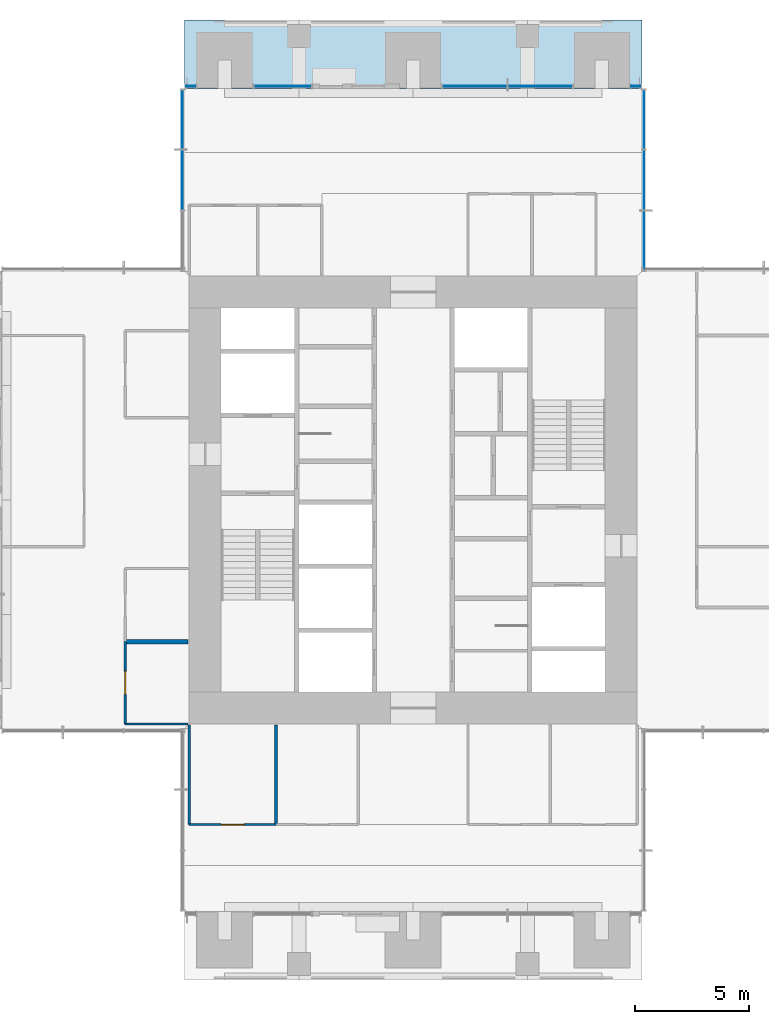
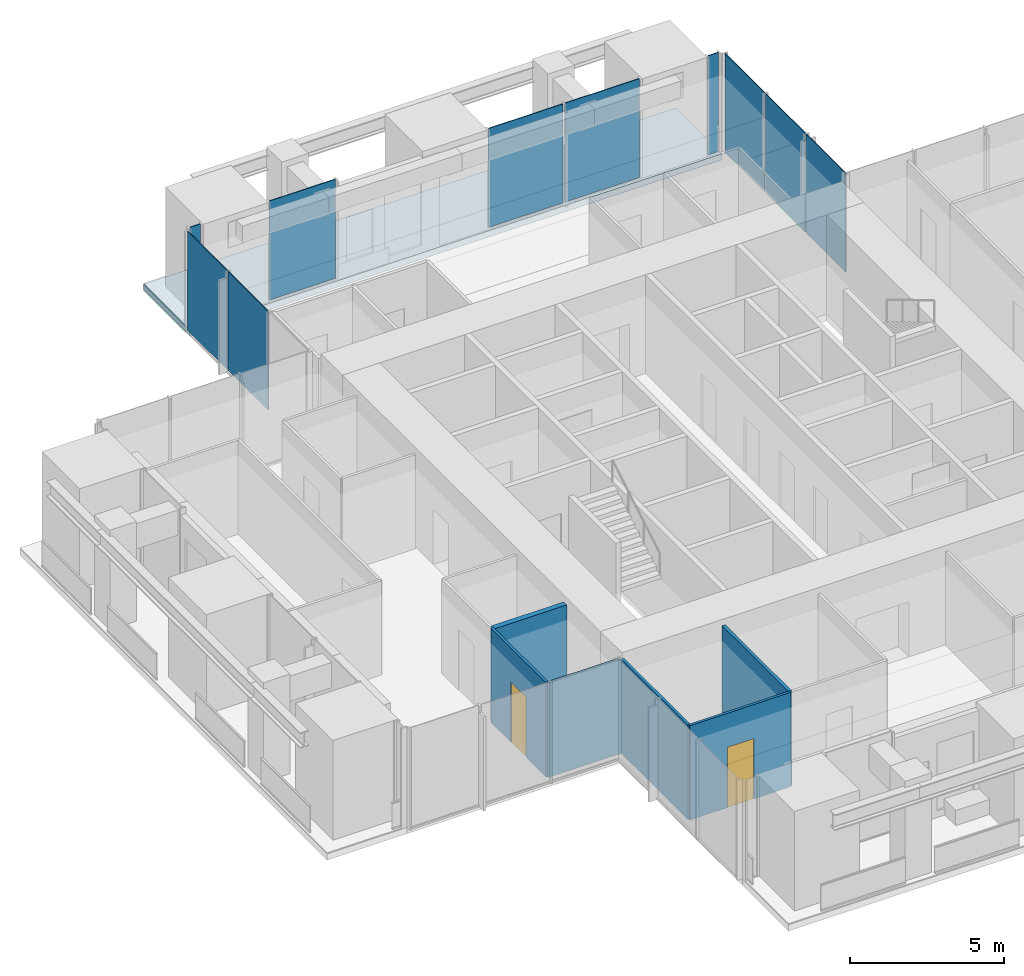
# One storey, part 11 of 17: 10 plates, 6 walls, 2 doors, 1 slab, 2 openings, 6 elements without a shape of their own.
"""IFC4 building model written with IfcOpenShell, lengths in metres."""

from ifc_helpers import new_model, si_unit, direction, frame, frame_2d, origin, origin_2d, place, context, subcontext, project, spatial, polyline, rectangle, outline, extrude, material, layer, layer_set, type_object, element, fill, aggregate, save


model = new_model("IFC4")

# Units and contexts
model_context = context("Model", 3, precision=1e-05, world=origin(), true_north=direction((0.0, 1.0)))
body_context = subcontext(model_context, "Body", "Model", "MODEL_VIEW")
ifc_project = project(units=[si_unit("LENGTHUNIT", "METRE"), si_unit("AREAUNIT", "SQUARE_METRE"), si_unit("VOLUMEUNIT", "CUBIC_METRE"), si_unit("PLANEANGLEUNIT", "RADIAN"), si_unit("MASSUNIT", "GRAM", prefix="KILO")], contexts=[model_context])

# Site, building, storey
site_placement = place(None, origin())
site = spatial("IfcSite", under=ifc_project, at=site_placement, CompositionType="ELEMENT")
building_placement = place(site_placement, origin())
building = spatial("IfcBuilding", under=site, at=building_placement, Name="Svetlomir Tower", CompositionType="ELEMENT")
storey_placement = place(building_placement, frame((0.0, 0.0, 198.5)))
storey = spatial("IfcBuildingStorey", under=building, at=storey_placement, Name="L47", CompositionType="ELEMENT", Elevation=198.5)

# Curtain wall, plates
ifc_material_1 = material(Name="Bronze anodised aluminium curtain wall", Category="aluminium")
curtain_wall_type = type_object("IfcCurtainWallType", Name="CURTAIN WALL CW1 TOWER OFFICE", PredefinedType="NOTDEFINED", material=ifc_material_1)
curtain_wall_1_placement = place(storey_placement, origin())
curtain_wall_1 = element("IfcCurtainWall", 1, at=curtain_wall_1_placement, inside=storey, type_object=curtain_wall_type, Name="Curtain wall CW1 L47", PredefinedType="NOTDEFINED")
ifc_material_2 = material(Name="Tinted double glazed unit", Category="glass")
ifc_layer_1 = layer(ifc_material_2, 0.031982421875)
ifc_layer_set_1 = layer_set([ifc_layer_1], Name="Tinted double glazed unit")
plate_type = type_object("IfcPlateType", Name="CW1 GLAZED PANEL 32", PredefinedType="CURTAIN_PANEL", material=ifc_layer_set_1)
plate_1_placement = place(storey_placement, frame((31.10009765625, 32.349609375, 0.06494140625), z_axis=(0.0, 0.0, 1.0), x_axis=(0.0, 1.0, 0.0)))
plate_1 = element("IfcPlate", 2, at=plate_1_placement, type_object=plate_type, Name="CW1 panel 1.1", PredefinedType="CURTAIN_PANEL", context=body_context, shape_type="SweptSolid", body=[
    extrude(rectangle(XDim=2.569091796875, YDim=0.031982421875, at=origin_2d()), origin(), (0.0, 0.0, 1.0), 3.93505859375),
])
plate_2_placement = place(storey_placement, frame((31.10009765625, 35.0, 0.06494140625), z_axis=(0.0, 0.0, 1.0), x_axis=(0.0, 1.0, 0.0)))
plate_2 = element("IfcPlate", 3, at=plate_2_placement, type_object=plate_type, Name="CW1 panel 2.1", PredefinedType="CURTAIN_PANEL", context=body_context, shape_type="SweptSolid", body=[
    extrude(rectangle(XDim=2.6015625, YDim=0.031982421875, at=origin_2d()), origin(), (0.0, 0.0, 1.0), 3.93505859375),
])
plate_3_placement = place(storey_placement, frame((31.10009765625, 37.650390625, 0.06494140625), z_axis=(0.0, 0.0, 1.0), x_axis=(0.0, 1.0, 0.0)))
plate_3 = element("IfcPlate", 4, at=plate_3_placement, type_object=plate_type, Name="CW1 panel 3.1", PredefinedType="CURTAIN_PANEL", context=body_context, shape_type="SweptSolid", body=[
    extrude(rectangle(XDim=2.569091796875, YDim=0.031982421875, at=origin_2d()), origin(), (0.0, 0.0, 1.0), 3.93505859375),
])
aggregate(curtain_wall_1, [plate_1, plate_2, plate_3])

# Curtain wall, plate
curtain_wall_2_placement = place(storey_placement, origin())
curtain_wall_2 = element("IfcCurtainWall", 5, at=curtain_wall_2_placement, inside=storey, type_object=curtain_wall_type, Name="Curtain wall CW1 L47", PredefinedType="NOTDEFINED")
plate_4_placement = place(storey_placement, frame((30.737548828125, 39.10009765625, 0.06494140625), z_axis=(0.0, 0.0, 1.0), x_axis=(-1.0, 0.0, 0.0)))
plate_4 = element("IfcPlate", 6, at=plate_4_placement, type_object=plate_type, Name="CW1 panel 1.1", PredefinedType="CURTAIN_PANEL", context=body_context, shape_type="SweptSolid", body=[
    extrude(rectangle(XDim=0.39501953125, YDim=0.031982421875, at=origin_2d()), origin(), (0.0, 0.0, 1.0), 3.93505859375),
])
aggregate(curtain_wall_2, [plate_4])

# Curtain wall, plates
curtain_wall_3_placement = place(storey_placement, origin())
curtain_wall_3 = element("IfcCurtainWall", 7, at=curtain_wall_3_placement, inside=storey, type_object=curtain_wall_type, Name="Curtain wall CW1 L47", PredefinedType="NOTDEFINED")
plate_5_placement = place(storey_placement, frame((26.558837890625, 39.10009765625, 0.06494140625), z_axis=(0.0, 0.0, 1.0), x_axis=(-1.0, 0.0, 0.0)))
plate_5 = element("IfcPlate", 8, at=plate_5_placement, type_object=plate_type, Name="CW1 panel 1.1", PredefinedType="CURTAIN_PANEL", context=body_context, shape_type="SweptSolid", body=[
    extrude(rectangle(XDim=2.802490234375, YDim=0.031982421875, at=origin_2d()), origin(), (0.0, 0.0, 1.0), 3.93505859375),
])
plate_6_placement = place(storey_placement, frame((23.691162109375, 39.10009765625, 0.06494140625), z_axis=(0.0, 0.0, 1.0), x_axis=(-1.0, 0.0, 0.0)))
plate_6 = element("IfcPlate", 9, at=plate_6_placement, type_object=plate_type, Name="CW1 panel 2.1", PredefinedType="CURTAIN_PANEL", context=body_context, shape_type="SweptSolid", body=[
    extrude(rectangle(XDim=2.802490234375, YDim=0.031982421875, at=origin_2d()), origin(), (0.0, 0.0, 1.0), 3.93505859375),
])
aggregate(curtain_wall_3, [plate_5, plate_6])

# Curtain wall, plate
curtain_wall_4_placement = place(storey_placement, origin())
curtain_wall_4 = element("IfcCurtainWall", 10, at=curtain_wall_4_placement, inside=storey, type_object=curtain_wall_type, Name="Curtain wall CW1 L47", PredefinedType="NOTDEFINED")
plate_7_placement = place(storey_placement, frame((15.28759765625, 39.10009765625, 0.06494140625), z_axis=(0.0, 0.0, 1.0), x_axis=(-1.0, 0.0, 0.0)))
plate_7 = element("IfcPlate", 11, at=plate_7_placement, type_object=plate_type, Name="CW1 panel 1.1", PredefinedType="CURTAIN_PANEL", context=body_context, shape_type="SweptSolid", body=[
    extrude(rectangle(XDim=2.4951171875, YDim=0.031982421875, at=origin_2d()), origin(), (0.0, 0.0, 1.0), 3.93505859375),
])
aggregate(curtain_wall_4, [plate_7])

curtain_wall_5_placement = place(storey_placement, origin())
curtain_wall_5 = element("IfcCurtainWall", 12, at=curtain_wall_5_placement, inside=storey, type_object=curtain_wall_type, Name="Curtain wall CW1 L47", PredefinedType="NOTDEFINED")
plate_8_placement = place(storey_placement, frame((11.262451171875, 39.10009765625, 0.06494140625), z_axis=(0.0, 0.0, 1.0), x_axis=(-1.0, 0.0, 0.0)))
plate_8 = element("IfcPlate", 13, at=plate_8_placement, type_object=plate_type, Name="CW1 panel 1.1", PredefinedType="CURTAIN_PANEL", context=body_context, shape_type="SweptSolid", body=[
    extrude(rectangle(XDim=0.39501953125, YDim=0.031982421875, at=origin_2d()), origin(), (0.0, 0.0, 1.0), 3.93505859375),
])
aggregate(curtain_wall_5, [plate_8])

# Curtain wall, plates
curtain_wall_6_placement = place(storey_placement, origin())
curtain_wall_6 = element("IfcCurtainWall", 14, at=curtain_wall_6_placement, inside=storey, type_object=curtain_wall_type, Name="Curtain wall CW1 L47", PredefinedType="NOTDEFINED")
plate_9_placement = place(storey_placement, frame((10.89990234375, 37.650390625, 0.06494140625), z_axis=(0.0, 0.0, 1.0), x_axis=(0.0, -1.0, 0.0)))
plate_9 = element("IfcPlate", 15, at=plate_9_placement, type_object=plate_type, Name="CW1 panel 1.1", PredefinedType="CURTAIN_PANEL", context=body_context, shape_type="SweptSolid", body=[
    extrude(rectangle(XDim=2.569091796875, YDim=0.031982421875, at=origin_2d()), origin(), (0.0, 0.0, 1.0), 3.93505859375),
])
plate_10_placement = place(storey_placement, frame((10.89990234375, 35.0, 0.06494140625), z_axis=(0.0, 0.0, 1.0), x_axis=(0.0, -1.0, 0.0)))
plate_10 = element("IfcPlate", 16, at=plate_10_placement, type_object=plate_type, Name="CW1 panel 2.1", PredefinedType="CURTAIN_PANEL", context=body_context, shape_type="SweptSolid", body=[
    extrude(rectangle(XDim=2.6015625, YDim=0.031982421875, at=origin_2d()), origin(), (0.0, 0.0, 1.0), 3.93505859375),
])
aggregate(curtain_wall_6, [plate_9, plate_10])

# Slab
ifc_material_3 = material(Name="Concrete C60/75", Category="concrete")
ifc_layer_2 = layer(ifc_material_3, 0.25)
ifc_layer_set_2 = layer_set([ifc_layer_2], Name="Concrete C60/75")
slab_type = type_object("IfcSlabType", Name="PLANTED LOGGIA SLAB 250", PredefinedType="FLOOR", material=ifc_layer_set_2)
slab_placement = place(storey_placement, frame((0.0, 0.0, -0.25)))
element("IfcSlab", 17, at=slab_placement, inside=storey, type_object=slab_type, Name="L47 N planted loggia", PredefinedType="FLOOR", context=body_context, shape_type="SweptSolid", body=[
    extrude(outline(polyline([(11.0, 39.0), (31.0, 39.0), (31.0, 42.0), (11.0, 42.0), (11.0, 39.0)])), origin(), (0.0, 0.0, 1.0), 0.25),
])

# Wall
ifc_material_4 = material(Name="Gypsum board on twin steel studs", Category="steel")
ifc_layer_3 = layer(ifc_material_4, 0.199951171875)
ifc_layer_set_3 = layer_set([ifc_layer_3], Name="Gypsum board on twin steel studs")
wall_type_1 = type_object("IfcWallType", Name="ACOUSTIC PARTITION 200", PredefinedType="PARTITIONING", material=ifc_layer_set_3)
wall_1_placement = place(storey_placement, frame((8.39990234375, 14.800048828125, 0.0), z_axis=(0.0, 0.0, 1.0), x_axis=(1.0, 0.0, 0.0)))
element("IfcWall", 18, at=wall_1_placement, inside=storey, type_object=wall_type_1, Name="Acoustic partition L47", PredefinedType="PARTITIONING", context=body_context, shape_type="SweptSolid", body=[
    extrude(rectangle(XDim=2.75, YDim=0.199951171875, at=frame_2d((1.375, 0.0))), origin(), (0.0, 0.0, 1.0), 3.75),
])

# Wall, opening, door
ifc_material_5 = material(Name="Framed laminated glass partition", Category="glass")
ifc_layer_4 = layer(ifc_material_5, 0.10009765625)
ifc_layer_set_4 = layer_set([ifc_layer_4], Name="Framed laminated glass partition")
wall_type_2 = type_object("IfcWallType", Name="GLAZED PARTITION 100", PredefinedType="PARTITIONING", material=ifc_layer_set_4)
wall_2_placement = place(storey_placement, frame((8.39990234375, 11.199951171875, 0.0), z_axis=(0.0, 0.0, 1.0), x_axis=(0.0, 1.0, 0.0)))
wall_2 = element("IfcWall", 19, at=wall_2_placement, inside=storey, type_object=wall_type_2, Name="Glazed partition L47", PredefinedType="PARTITIONING", context=body_context, shape_type="SweptSolid", body=[
    extrude(rectangle(XDim=3.60009765625, YDim=0.10009765625, at=frame_2d((1.800048828125, 0.0))), origin(), (0.0, 0.0, 1.0), 3.75),
])
opening_1_placement = place(wall_2_placement, frame((1.300048828125, 0.0, 0.0)))
opening_1 = element("IfcOpeningElement", 20, at=opening_1_placement, cuts=wall_2, Name="Opening DG", PredefinedType="OPENING", context=body_context, shape_type="SweptSolid", body=[
    extrude(rectangle(XDim=1.0, YDim=2.39990234375, at=frame_2d((0.5, 1.199951171875))), frame((0.0, 0.06005859375, 0.0), z_axis=(0.0, -1.0, 0.0), x_axis=(1.0, 0.0, 0.0)), (0.0, 0.0, 1.0), 0.1201171875),
])
ifc_material_6 = material(Name="Framed laminated glass door", Category="glass")
door_type = type_object("IfcDoorType", Name="GLAZED DOOR DG 1000x2400", OperationType="SINGLE_SWING_LEFT", PredefinedType="DOOR", material=ifc_material_6)
door_1_placement = place(opening_1_placement, origin())
door_1 = element("IfcDoor", 21, at=door_1_placement, inside=storey, type_object=door_type, Name="Meeting room, 6 seats door L47", OperationType="SINGLE_SWING_RIGHT", OverallHeight=2.39990234375, OverallWidth=1.0, PredefinedType="DOOR", context=body_context, shape_type="SweptSolid", body=[
    extrude(rectangle(XDim=1.0, YDim=2.39990234375, at=frame_2d((0.5, 1.199951171875))), frame((0.0, 0.02490234375, 0.0), z_axis=(0.0, -1.0, 0.0), x_axis=(1.0, 0.0, 0.0)), (0.0, 0.0, 1.0), 0.050048828125),
])
fill(opening_1, door_1)

# Walls
wall_3_placement = place(storey_placement, frame((8.39990234375, 11.199951171875, 0.0), z_axis=(0.0, 0.0, 1.0), x_axis=(1.0, 0.0, 0.0)))
element("IfcWall", 22, at=wall_3_placement, inside=storey, type_object=wall_type_2, Name="Glazed partition L47", PredefinedType="PARTITIONING", context=body_context, shape_type="SweptSolid", body=[
    extrude(rectangle(XDim=2.75, YDim=0.10009765625, at=frame_2d((1.375, 0.0))), origin(), (0.0, 0.0, 1.0), 3.75),
])
wall_4_placement = place(storey_placement, frame((11.199951171875, 6.800048828125, 0.0), z_axis=(0.0, 0.0, 1.0), x_axis=(0.0, 1.0, 0.0)))
element("IfcWall", 23, at=wall_4_placement, inside=storey, type_object=wall_type_2, Name="Glazed partition L47", PredefinedType="PARTITIONING", context=body_context, shape_type="SweptSolid", body=[
    extrude(rectangle(XDim=4.349853515625, YDim=0.10009765625, at=frame_2d((2.1748046875, 0.0))), origin(), (0.0, 0.0, 1.0), 3.75),
])

# Wall, opening, door
wall_5_placement = place(storey_placement, frame((11.199951171875, 6.800048828125, 0.0), z_axis=(0.0, 0.0, 1.0), x_axis=(1.0, 0.0, 0.0)))
wall_5 = element("IfcWall", 24, at=wall_5_placement, inside=storey, type_object=wall_type_2, Name="Glazed partition L47", PredefinedType="PARTITIONING", context=body_context, shape_type="SweptSolid", body=[
    extrude(rectangle(XDim=3.800048828125, YDim=0.10009765625, at=frame_2d((1.89990234375, 0.0))), origin(), (0.0, 0.0, 1.0), 3.75),
])
opening_2_placement = place(wall_5_placement, frame((1.39990234375, 0.0, 0.0)))
opening_2 = element("IfcOpeningElement", 25, at=opening_2_placement, cuts=wall_5, Name="Opening DG", PredefinedType="OPENING", context=body_context, shape_type="SweptSolid", body=[
    extrude(rectangle(XDim=1.0, YDim=2.39990234375, at=frame_2d((0.5, 1.199951171875))), frame((0.0, 0.06005859375, 0.0), z_axis=(0.0, -1.0, 0.0), x_axis=(1.0, 0.0, 0.0)), (0.0, 0.0, 1.0), 0.1201171875),
])
door_2_placement = place(opening_2_placement, origin())
door_2 = element("IfcDoor", 26, at=door_2_placement, inside=storey, type_object=door_type, Name="Squad room 1 door L47", OperationType="SINGLE_SWING_LEFT", OverallHeight=2.39990234375, OverallWidth=1.0, PredefinedType="DOOR", context=body_context, shape_type="SweptSolid", body=[
    extrude(rectangle(XDim=1.0, YDim=2.39990234375, at=frame_2d((0.5, 1.199951171875))), frame((0.0, 0.02490234375, 0.0), z_axis=(0.0, -1.0, 0.0), x_axis=(1.0, 0.0, 0.0)), (0.0, 0.0, 1.0), 0.050048828125),
])
fill(opening_2, door_2)

# Wall
ifc_material_7 = material(Name="Gypsum board on steel studs", Category="steel")
ifc_layer_5 = layer(ifc_material_7, 0.1201171875)
ifc_layer_set_5 = layer_set([ifc_layer_5], Name="Gypsum board on steel studs")
wall_type_3 = type_object("IfcWallType", Name="PARTITION 120", PredefinedType="PARTITIONING", material=ifc_layer_set_5)
wall_6_placement = place(storey_placement, frame((15.0, 6.800048828125, 0.0), z_axis=(0.0, 0.0, 1.0), x_axis=(0.0, 1.0, 0.0)))
element("IfcWall", 27, at=wall_6_placement, inside=storey, type_object=wall_type_3, Name="Partition L47", PredefinedType="PARTITIONING", context=body_context, shape_type="SweptSolid", body=[
    extrude(rectangle(XDim=4.349853515625, YDim=0.1201171875, at=frame_2d((2.1748046875, 0.0))), origin(), (0.0, 0.0, 1.0), 3.75),
])

save(model, "model.ifc")
